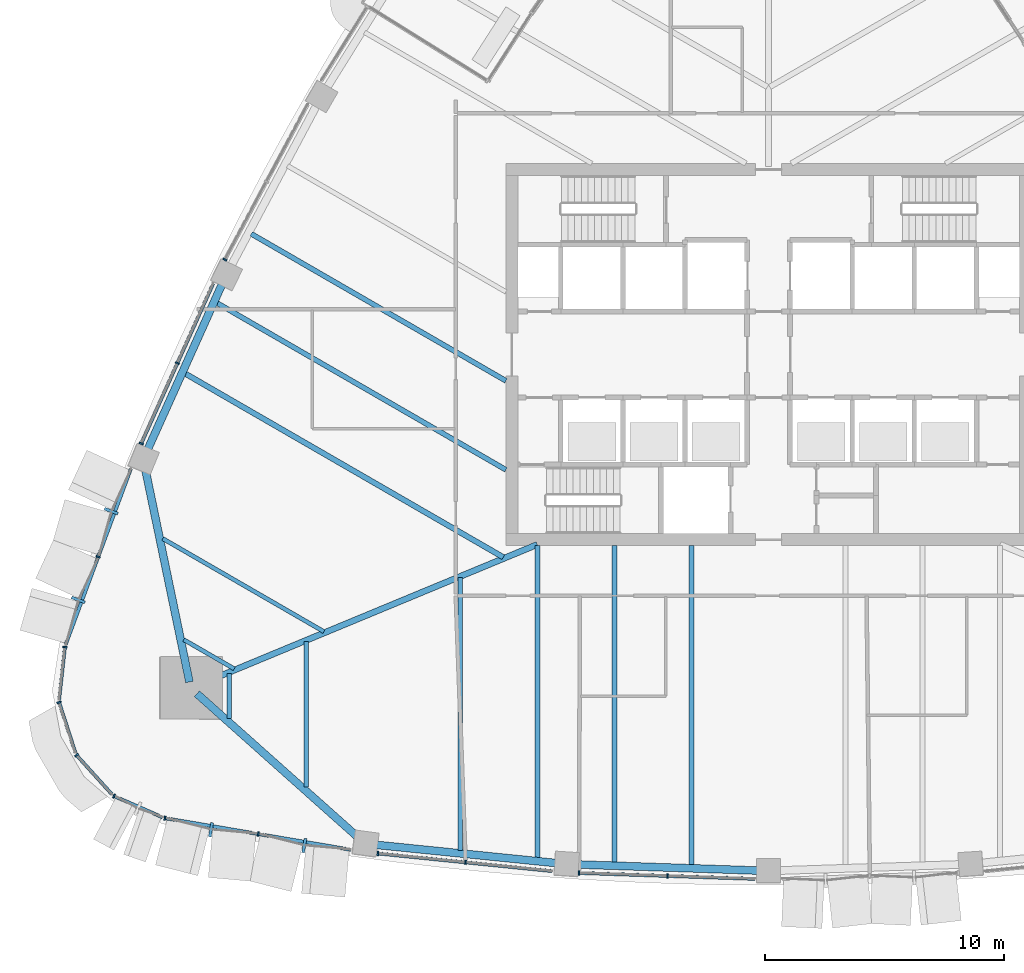
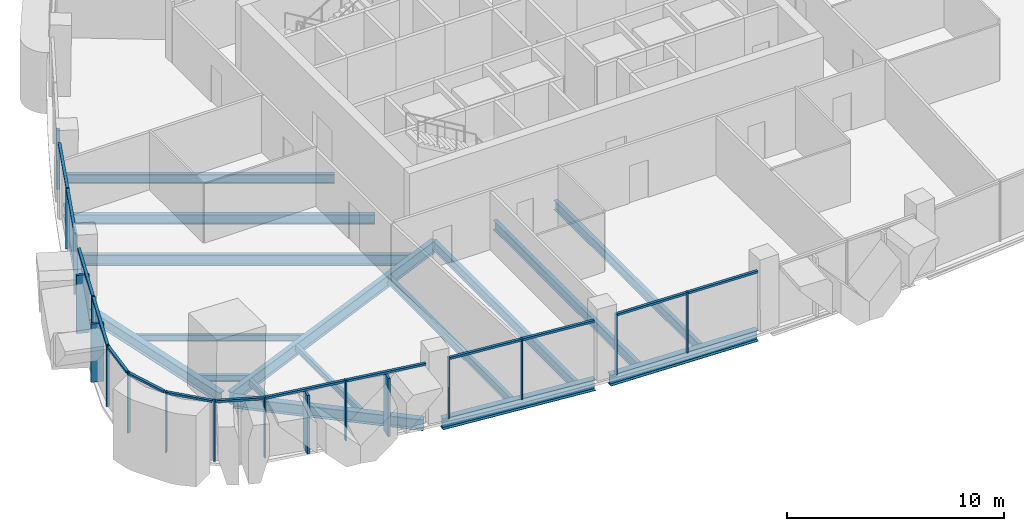
# One storey, part 2 of 21: 32 members, 17 beams, 10 elements without a shape of their own.
"""IFC4 building model written with IfcOpenShell, lengths in metres."""

from ifc_helpers import new_model, si_unit, direction, frame, origin, origin_2d, place, context, subcontext, project, spatial, rectangle, i_section, extrude, material, layer, layer_set, material_profile, profile_set, type_object, element, aggregate, save


model = new_model("IFC4")

# Units and contexts
model_context = context("Model", 3, precision=1e-05, world=origin(), true_north=direction((0.0, 1.0)))
body_context = subcontext(model_context, "Body", "Model", "MODEL_VIEW")
ifc_project = project(units=[si_unit("LENGTHUNIT", "METRE"), si_unit("AREAUNIT", "SQUARE_METRE"), si_unit("VOLUMEUNIT", "CUBIC_METRE"), si_unit("PLANEANGLEUNIT", "RADIAN"), si_unit("MASSUNIT", "GRAM", prefix="KILO")], contexts=[model_context])

# Site, building, storey
site_placement = place(None, origin())
site = spatial("IfcSite", under=ifc_project, at=site_placement, CompositionType="ELEMENT")
building_placement = place(site_placement, origin())
building = spatial("IfcBuilding", under=site, at=building_placement, Name="Sierra Prisma Convention Tower", CompositionType="ELEMENT")
storey_placement = place(building_placement, frame((0.0, 0.0, 157.800048828125)))
storey = spatial("IfcBuildingStorey", under=building, at=storey_placement, Name="L34", CompositionType="ELEMENT", Elevation=157.800048828125)

# Curtain wall, members
ifc_material_1 = material(Name="Aluminium and glass curtain wall", Category="aluminium")
ifc_layer_1 = layer(ifc_material_1, 0.179931640625)
ifc_layer_set_1 = layer_set([ifc_layer_1], Name="CW-2 Faceted crystal curtain wall")
curtain_wall_type_1 = type_object("IfcCurtainWallType", Name="CW-2 Faceted crystal curtain wall", PredefinedType="NOTDEFINED", material=ifc_layer_set_1)
curtain_wall_1_placement = place(storey_placement, origin())
curtain_wall_1 = element("IfcCurtainWall", 1, at=curtain_wall_1_placement, inside=storey, type_object=curtain_wall_type_1, Name="CW-2 NW6 L34", PredefinedType="NOTDEFINED")
ifc_material_2 = material(Name="Aluminium 6063-T6 bronze anodised", Category="aluminium")
ifc_material_profile_1 = material_profile(ifc_material_2, rectangle(XDim=0.1201171875, YDim=0.60009765625, at=origin_2d()), Name="ALU RIDGE BLADE 120x600")
ifc_profile_set_1 = profile_set([ifc_material_profile_1], Name="Aluminium 6063-T6 bronze anodised")
member_type_1 = type_object("IfcMemberType", Name="CW hip bronze", PredefinedType="MULLION", material=ifc_profile_set_1)
member_1_placement = place(storey_placement, frame((-27.525390625, -6.55810546875, 0.0), z_axis=(0.0, 0.0, 1.0), x_axis=(-0.347954308192, -0.937511492949, 0.0)))
member_1 = element("IfcMember", 2, at=member_1_placement, type_object=member_type_1, Name="CW-2 ridge NW6.1", PredefinedType="MULLION", context=body_context, shape_type="SweptSolid", body=[
    extrude(rectangle(XDim=0.1201171875, YDim=0.60009765625, at=origin_2d()), origin(), (0.0, 0.0, 1.0), 3.280029296875),
])
member_2_placement = place(storey_placement, frame((-28.903564453125, -10.271728515625, 0.0), z_axis=(0.0, 0.0, 1.0), x_axis=(-0.347954308192, -0.937511492949, 0.0)))
member_2 = element("IfcMember", 3, at=member_2_placement, type_object=member_type_1, Name="CW-2 ridge NW6.2", PredefinedType="MULLION", context=body_context, shape_type="SweptSolid", body=[
    extrude(rectangle(XDim=0.1201171875, YDim=0.60009765625, at=origin_2d()), origin(), (0.0, 0.0, 1.0), 3.280029296875),
])

curtain_wall_2_placement = place(storey_placement, origin())
curtain_wall_2 = element("IfcCurtainWall", 4, at=curtain_wall_2_placement, inside=storey, type_object=curtain_wall_type_1, Name="CW-2 S1 L34", PredefinedType="NOTDEFINED")
member_3_placement = place(storey_placement, frame((-23.347412109375, -19.895263671875, 0.0), z_axis=(0.0, 0.0, 1.0), x_axis=(0.985885923329, -0.167418476224, 0.0)))
member_3 = element("IfcMember", 5, at=member_3_placement, type_object=member_type_1, Name="CW-2 ridge S1.1", PredefinedType="MULLION", context=body_context, shape_type="SweptSolid", body=[
    extrude(rectangle(XDim=0.1201171875, YDim=0.60009765625, at=origin_2d()), origin(), (0.0, 0.0, 1.0), 3.280029296875),
])
member_4_placement = place(storey_placement, frame((-19.442138671875, -20.55859375, 0.0), z_axis=(0.0, 0.0, 1.0), x_axis=(0.985885923329, -0.167418476224, 0.0)))
member_4 = element("IfcMember", 6, at=member_4_placement, type_object=member_type_1, Name="CW-2 ridge S1.2", PredefinedType="MULLION", context=body_context, shape_type="SweptSolid", body=[
    extrude(rectangle(XDim=0.1201171875, YDim=0.60009765625, at=origin_2d()), origin(), (0.0, 0.0, 1.0), 3.280029296875),
])

# Curtain wall, member
ifc_material_3 = material(Name="Aluminium and glass curtain wall", Category="aluminium")
ifc_layer_2 = layer(ifc_material_3, 0.179931640625)
ifc_layer_set_2 = layer_set([ifc_layer_2], Name="CW-1 Plain shaft curtain wall")
curtain_wall_type_2 = type_object("IfcCurtainWallType", Name="CW-1 Plain shaft curtain wall", PredefinedType="NOTDEFINED", material=ifc_layer_set_2)
curtain_wall_3_placement = place(storey_placement, origin())
curtain_wall_3 = element("IfcCurtainWall", 7, at=curtain_wall_3_placement, inside=storey, type_object=curtain_wall_type_2, Name="CW-1 NW4 L34", PredefinedType="NOTDEFINED")
ifc_material_4 = material(Name="Aluminium 6063-T6 bronze anodised", Category="aluminium")
ifc_material_profile_2 = material_profile(ifc_material_4, rectangle(XDim=0.179931640625, YDim=0.070068359375, at=origin_2d()), Name="ALU MULLION 70x180")
ifc_profile_set_2 = profile_set([ifc_material_profile_2], Name="Aluminium 6063-T6 bronze anodised")
member_type_2 = type_object("IfcMemberType", Name="CW mullion bronze", PredefinedType="MULLION", material=ifc_profile_set_2)
member_5_placement = place(storey_placement, frame((-22.76513671875, 3.97509765625, 0.0), z_axis=(0.0, 0.0, 1.0), x_axis=(0.88235325701, -0.470587643106, 0.0)))
member_5 = element("IfcMember", 8, at=member_5_placement, type_object=member_type_2, Name="CW-1 mullion NW4.3", PredefinedType="MULLION", context=body_context, shape_type="SweptSolid", body=[
    extrude(rectangle(XDim=0.179931640625, YDim=0.070068359375, at=origin_2d()), origin(), (0.0, 0.0, 1.0), 3.39990234375),
])
aggregate(curtain_wall_3, [member_5])

# Curtain wall, members
curtain_wall_4_placement = place(storey_placement, origin())
curtain_wall_4 = element("IfcCurtainWall", 9, at=curtain_wall_4_placement, inside=storey, type_object=curtain_wall_type_2, Name="CW-1 NW5 L34", PredefinedType="NOTDEFINED")
member_6_placement = place(storey_placement, frame((-24.755615234375, -0.360107421875, 0.0), z_axis=(0.0, 0.0, 1.0), x_axis=(0.911995976276, -0.410199145851, 0.0)))
member_6 = element("IfcMember", 10, at=member_6_placement, type_object=member_type_2, Name="CW-1 mullion NW5.2", PredefinedType="MULLION", context=body_context, shape_type="SweptSolid", body=[
    extrude(rectangle(XDim=0.179931640625, YDim=0.070068359375, at=origin_2d()), origin(), (0.0, 0.0, 1.0), 3.39990234375),
])
member_7_placement = place(storey_placement, frame((-26.2685546875, -3.724365234375, 0.0), z_axis=(0.0, 0.0, 1.0), x_axis=(0.911995976276, -0.410199145851, 0.0)))
member_7 = element("IfcMember", 11, at=member_7_placement, type_object=member_type_2, Name="CW-1 mullion NW5.3", PredefinedType="MULLION", context=body_context, shape_type="SweptSolid", body=[
    extrude(rectangle(XDim=0.179931640625, YDim=0.070068359375, at=origin_2d()), origin(), (0.0, 0.0, 1.0), 3.39990234375),
])

# Member
member_8_placement = place(storey_placement, frame((-28.07080078125, -8.46826171875, 0.0), z_axis=(0.0, 0.0, 1.0), x_axis=(0.937511492949, -0.347954308192, 0.0)))
member_8 = element("IfcMember", 12, at=member_8_placement, type_object=member_type_2, Name="CW-1 mullion NW6.2", PredefinedType="MULLION", context=body_context, shape_type="SweptSolid", body=[
    extrude(rectangle(XDim=0.179931640625, YDim=0.070068359375, at=origin_2d()), origin(), (0.0, 0.0, 1.0), 3.39990234375),
])

# Curtain wall, member
curtain_wall_5_placement = place(storey_placement, origin())
curtain_wall_5 = element("IfcCurtainWall", 13, at=curtain_wall_5_placement, inside=storey, type_object=curtain_wall_type_2, Name="CW-1 SW1 L34", PredefinedType="NOTDEFINED")
member_9_placement = place(storey_placement, frame((-29.465087890625, -12.24951171875, 0.0), z_axis=(0.0, 0.0, 1.0), x_axis=(0.99391102233, -0.110185660095, 0.0)))
member_9 = element("IfcMember", 14, at=member_9_placement, type_object=member_type_2, Name="CW-1 mullion SW1.1", PredefinedType="MULLION", context=body_context, shape_type="SweptSolid", body=[
    extrude(rectangle(XDim=0.179931640625, YDim=0.070068359375, at=origin_2d()), origin(), (0.0, 0.0, 1.0), 3.39990234375),
])

curtain_wall_6_placement = place(storey_placement, origin())
curtain_wall_6 = element("IfcCurtainWall", 15, at=curtain_wall_6_placement, inside=storey, type_object=curtain_wall_type_2, Name="CW-1 SW2 L34", PredefinedType="NOTDEFINED")
member_10_placement = place(storey_placement, frame((-29.70703125, -14.562255859375, 0.0), z_axis=(0.0, 0.0, 1.0), x_axis=(0.951640916797, 0.307212573762, 0.0)))
member_10 = element("IfcMember", 16, at=member_10_placement, type_object=member_type_2, Name="CW-1 mullion SW2.1", PredefinedType="MULLION", context=body_context, shape_type="SweptSolid", body=[
    extrude(rectangle(XDim=0.179931640625, YDim=0.070068359375, at=origin_2d()), origin(), (0.0, 0.0, 1.0), 3.39990234375),
])

curtain_wall_7_placement = place(storey_placement, origin())
curtain_wall_7 = element("IfcCurtainWall", 17, at=curtain_wall_7_placement, inside=storey, type_object=curtain_wall_type_2, Name="CW-1 SW3 L34", PredefinedType="NOTDEFINED")
member_11_placement = place(storey_placement, frame((-28.97900390625, -16.7705078125, 0.0), z_axis=(0.0, 0.0, 1.0), x_axis=(0.741874351638, 0.670538922346, 0.0)))
member_11 = element("IfcMember", 18, at=member_11_placement, type_object=member_type_2, Name="CW-1 mullion SW3.1", PredefinedType="MULLION", context=body_context, shape_type="SweptSolid", body=[
    extrude(rectangle(XDim=0.179931640625, YDim=0.070068359375, at=origin_2d()), origin(), (0.0, 0.0, 1.0), 3.39990234375),
])

curtain_wall_8_placement = place(storey_placement, origin())
curtain_wall_8 = element("IfcCurtainWall", 19, at=curtain_wall_8_placement, inside=storey, type_object=curtain_wall_type_1, Name="CW-2 SW4 L34", PredefinedType="NOTDEFINED")
member_12_placement = place(storey_placement, frame((-27.4091796875, -18.486083984375, 0.0), z_axis=(0.0, 0.0, 1.0), x_axis=(0.40153193039, 0.915845024487, 0.0)))
member_12 = element("IfcMember", 20, at=member_12_placement, type_object=member_type_2, Name="CW-1 mullion SW4.1", PredefinedType="MULLION", context=body_context, shape_type="SweptSolid", body=[
    extrude(rectangle(XDim=0.179931640625, YDim=0.070068359375, at=origin_2d()), origin(), (0.0, 0.0, 1.0), 3.39990234375),
])

# Member
member_13_placement = place(storey_placement, frame((-25.2744140625, -19.412841796875, 0.0), z_axis=(0.0, 0.0, 1.0), x_axis=(0.167418476224, 0.985885923329, 0.0)))
member_13 = element("IfcMember", 21, at=member_13_placement, type_object=member_type_2, Name="CW-1 mullion S1.1", PredefinedType="MULLION", context=body_context, shape_type="SweptSolid", body=[
    extrude(rectangle(XDim=0.179931640625, YDim=0.070068359375, at=origin_2d()), origin(), (0.0, 0.0, 1.0), 3.39990234375),
])

member_14_placement = place(storey_placement, frame((-21.369140625, -20.075927734375, 0.0), z_axis=(0.0, 0.0, 1.0), x_axis=(0.167418476224, 0.985885923329, 0.0)))
member_14 = element("IfcMember", 22, at=member_14_placement, type_object=member_type_2, Name="CW-1 mullion S1.2", PredefinedType="MULLION", context=body_context, shape_type="SweptSolid", body=[
    extrude(rectangle(XDim=0.179931640625, YDim=0.070068359375, at=origin_2d()), origin(), (0.0, 0.0, 1.0), 3.39990234375),
])

# Curtain wall, members
curtain_wall_9_placement = place(storey_placement, origin())
curtain_wall_9 = element("IfcCurtainWall", 23, at=curtain_wall_9_placement, inside=storey, type_object=curtain_wall_type_2, Name="CW-1 S2 L34", PredefinedType="NOTDEFINED")
member_15_placement = place(storey_placement, frame((-16.359619140625, -20.88720703125, 0.0), z_axis=(0.0, 0.0, 1.0), x_axis=(0.10075510722, 0.994911256529, 0.0)))
member_15 = element("IfcMember", 24, at=member_15_placement, type_object=member_type_2, Name="CW-1 mullion S2.1", PredefinedType="MULLION", context=body_context, shape_type="SweptSolid", body=[
    extrude(rectangle(XDim=0.179931640625, YDim=0.070068359375, at=origin_2d()), origin(), (0.0, 0.0, 1.0), 3.39990234375),
])
member_16_placement = place(storey_placement, frame((-12.689697265625, -21.2587890625, 0.0), z_axis=(0.0, 0.0, 1.0), x_axis=(0.10075510722, 0.994911256529, 0.0)))
member_16 = element("IfcMember", 25, at=member_16_placement, type_object=member_type_2, Name="CW-1 mullion S2.2", PredefinedType="MULLION", context=body_context, shape_type="SweptSolid", body=[
    extrude(rectangle(XDim=0.179931640625, YDim=0.070068359375, at=origin_2d()), origin(), (0.0, 0.0, 1.0), 3.39990234375),
])

curtain_wall_10_placement = place(storey_placement, origin())
curtain_wall_10 = element("IfcCurtainWall", 26, at=curtain_wall_10_placement, inside=storey, type_object=curtain_wall_type_2, Name="CW-1 S3 L34", PredefinedType="NOTDEFINED")
member_17_placement = place(storey_placement, frame((-7.940185546875, -21.702880859375, 0.0), z_axis=(0.0, 0.0, 1.0), x_axis=(0.033635774868, 0.999434157235, 0.0)))
member_17 = element("IfcMember", 27, at=member_17_placement, type_object=member_type_2, Name="CW-1 mullion S3.1", PredefinedType="MULLION", context=body_context, shape_type="SweptSolid", body=[
    extrude(rectangle(XDim=0.179931640625, YDim=0.070068359375, at=origin_2d()), origin(), (0.0, 0.0, 1.0), 3.39990234375),
])
member_18_placement = place(storey_placement, frame((-4.2373046875, -21.827392578125, 0.0), z_axis=(0.0, 0.0, 1.0), x_axis=(0.033635774868, 0.999434157235, 0.0)))
member_18 = element("IfcMember", 28, at=member_18_placement, type_object=member_type_2, Name="CW-1 mullion S3.2", PredefinedType="MULLION", context=body_context, shape_type="SweptSolid", body=[
    extrude(rectangle(XDim=0.179931640625, YDim=0.070068359375, at=origin_2d()), origin(), (0.0, 0.0, 1.0), 3.39990234375),
])

# Member
ifc_material_5 = material(Name="Aluminium 6063-T6 bronze anodised", Category="aluminium")
ifc_material_profile_3 = material_profile(ifc_material_5, rectangle(XDim=0.139892578125, YDim=0.1201171875, at=origin_2d()), Name="ALU TRANSOM 120x140")
ifc_profile_set_3 = profile_set([ifc_material_profile_3], Name="Aluminium 6063-T6 bronze anodised")
member_type_3 = type_object("IfcMemberType", Name="CW transom bronze", PredefinedType="USERDEFINED", material=ifc_profile_set_3)
member_19_placement = place(storey_placement, frame((-23.2568359375, 2.971923828125, 3.33984375), z_axis=(-0.410190746116, -0.911999754277, 0.0), x_axis=(0.911999754277, -0.410190746116, 0.0)))
member_19 = element("IfcMember", 29, at=member_19_placement, type_object=member_type_3, Name="CW-1 transom NW5.1", ObjectType="TRANSOM", PredefinedType="USERDEFINED", context=body_context, shape_type="SweptSolid", body=[
    extrude(rectangle(XDim=0.139892578125, YDim=0.1201171875, at=origin_2d()), origin(), (0.0, 0.0, 1.0), 3.61865234375),
])

member_20_placement = place(storey_placement, frame((-24.769775390625, -0.39208984375, 3.33984375), z_axis=(-0.410190746116, -0.911999754277, 0.0), x_axis=(0.911999754277, -0.410190746116, 0.0)))
member_20 = element("IfcMember", 30, at=member_20_placement, type_object=member_type_3, Name="CW-1 transom NW5.2", ObjectType="TRANSOM", PredefinedType="USERDEFINED", context=body_context, shape_type="SweptSolid", body=[
    extrude(rectangle(XDim=0.139892578125, YDim=0.1201171875, at=origin_2d()), origin(), (0.0, 0.0, 1.0), 3.61865234375),
])

aggregate(curtain_wall_4, [member_6, member_7, member_19, member_20])

member_21_placement = place(storey_placement, frame((-26.704833984375, -4.787353515625, 3.33984375), z_axis=(-0.347917128843, -0.937525291103, 0.0), x_axis=(0.937525291103, -0.347917128843, 0.0)))
member_21 = element("IfcMember", 31, at=member_21_placement, type_object=member_type_3, Name="CW-1 transom NW6.1", ObjectType="TRANSOM", PredefinedType="USERDEFINED", context=body_context, shape_type="SweptSolid", body=[
    extrude(rectangle(XDim=0.139892578125, YDim=0.1201171875, at=origin_2d()), origin(), (0.0, 0.0, 1.0), 3.89111328125),
])

member_22_placement = place(storey_placement, frame((-28.0830078125, -8.5009765625, 3.33984375), z_axis=(-0.347972276367, -0.937504823923, 0.0), x_axis=(0.937504823923, -0.347972276367, 0.0)))
member_22 = element("IfcMember", 32, at=member_22_placement, type_object=member_type_3, Name="CW-1 transom NW6.2", ObjectType="TRANSOM", PredefinedType="USERDEFINED", context=body_context, shape_type="SweptSolid", body=[
    extrude(rectangle(XDim=0.139892578125, YDim=0.1201171875, at=origin_2d()), origin(), (0.0, 0.0, 1.0), 3.89111328125),
])

aggregate(curtain_wall_1, [member_8, member_21, member_1, member_22, member_2])

member_23_placement = place(storey_placement, frame((-29.468994140625, -12.2841796875, 3.33984375), z_axis=(-0.110223365081, -0.993906841606, 0.0), x_axis=(0.993906841606, -0.110223365081, 0.0)))
member_23 = element("IfcMember", 33, at=member_23_placement, type_object=member_type_3, Name="CW-1 transom SW1.1", ObjectType="TRANSOM", PredefinedType="USERDEFINED", context=body_context, shape_type="SweptSolid", body=[
    extrude(rectangle(XDim=0.139892578125, YDim=0.1201171875, at=origin_2d()), origin(), (0.0, 0.0, 1.0), 2.1884765625),
])

aggregate(curtain_wall_5, [member_9, member_23])

member_24_placement = place(storey_placement, frame((-29.6962890625, -14.595458984375, 3.33984375), z_axis=(0.307142944664, -0.951663391932, 0.0), x_axis=(0.951663391932, 0.307142944664, 0.0)))
member_24 = element("IfcMember", 34, at=member_24_placement, type_object=member_type_3, Name="CW-1 transom SW2.1", ObjectType="TRANSOM", PredefinedType="USERDEFINED", context=body_context, shape_type="SweptSolid", body=[
    extrude(rectangle(XDim=0.139892578125, YDim=0.1201171875, at=origin_2d()), origin(), (0.0, 0.0, 1.0), 2.188232421875),
])

aggregate(curtain_wall_6, [member_10, member_24])

member_25_placement = place(storey_placement, frame((-28.95556640625, -16.796630859375, 3.33984375), z_axis=(0.670504243859, -0.74190569412, 0.0), x_axis=(0.74190569412, 0.670504243859, 0.0)))
member_25 = element("IfcMember", 35, at=member_25_placement, type_object=member_type_3, Name="CW-1 transom SW3.1", ObjectType="TRANSOM", PredefinedType="USERDEFINED", context=body_context, shape_type="SweptSolid", body=[
    extrude(rectangle(XDim=0.139892578125, YDim=0.1201171875, at=origin_2d()), origin(), (0.0, 0.0, 1.0), 2.188232421875),
])

aggregate(curtain_wall_7, [member_11, member_25])

member_26_placement = place(storey_placement, frame((-27.377197265625, -18.500244140625, 3.33984375), z_axis=(0.915847236275, -0.401526885535, 0.0), x_axis=(0.401526885535, 0.915847236275, 0.0)))
member_26 = element("IfcMember", 36, at=member_26_placement, type_object=member_type_3, Name="CW-1 transom SW4.1", ObjectType="TRANSOM", PredefinedType="USERDEFINED", context=body_context, shape_type="SweptSolid", body=[
    extrude(rectangle(XDim=0.139892578125, YDim=0.1201171875, at=origin_2d()), origin(), (0.0, 0.0, 1.0), 2.188232421875),
])

aggregate(curtain_wall_8, [member_12, member_26])

member_27_placement = place(storey_placement, frame((-25.23974609375, -19.418701171875, 3.33984375), z_axis=(0.985889104663, -0.167399741058, 0.0), x_axis=(0.167399741058, 0.985889104663, 0.0)))
member_27 = element("IfcMember", 37, at=member_27_placement, type_object=member_type_3, Name="CW-1 transom S1.1", ObjectType="TRANSOM", PredefinedType="USERDEFINED", context=body_context, shape_type="SweptSolid", body=[
    extrude(rectangle(XDim=0.139892578125, YDim=0.1201171875, at=origin_2d()), origin(), (0.0, 0.0, 1.0), 3.89111328125),
])

member_28_placement = place(storey_placement, frame((-21.334716796875, -20.081787109375, 3.33984375), z_axis=(0.985880507186, -0.167450367423, 0.0), x_axis=(0.167450367423, 0.985880507186, 0.0)))
member_28 = element("IfcMember", 38, at=member_28_placement, type_object=member_type_3, Name="CW-1 transom S1.2", ObjectType="TRANSOM", PredefinedType="USERDEFINED", context=body_context, shape_type="SweptSolid", body=[
    extrude(rectangle(XDim=0.139892578125, YDim=0.1201171875, at=origin_2d()), origin(), (0.0, 0.0, 1.0), 3.891357421875),
])

aggregate(curtain_wall_2, [member_13, member_14, member_27, member_3, member_28, member_4])

member_29_placement = place(storey_placement, frame((-16.324951171875, -20.890625, 3.33984375), z_axis=(0.99490743666, -0.100792819582, 0.0), x_axis=(0.100792819582, 0.99490743666, 0.0)))
member_29 = element("IfcMember", 39, at=member_29_placement, type_object=member_type_3, Name="CW-1 transom S2.1", ObjectType="TRANSOM", PredefinedType="USERDEFINED", context=body_context, shape_type="SweptSolid", body=[
    extrude(rectangle(XDim=0.139892578125, YDim=0.1201171875, at=origin_2d()), origin(), (0.0, 0.0, 1.0), 3.61865234375),
])

member_30_placement = place(storey_placement, frame((-12.65478515625, -21.26220703125, 3.33984375), z_axis=(0.99490743666, -0.100792819582, 0.0), x_axis=(0.100792819582, 0.99490743666, 0.0)))
member_30 = element("IfcMember", 40, at=member_30_placement, type_object=member_type_3, Name="CW-1 transom S2.2", ObjectType="TRANSOM", PredefinedType="USERDEFINED", context=body_context, shape_type="SweptSolid", body=[
    extrude(rectangle(XDim=0.139892578125, YDim=0.1201171875, at=origin_2d()), origin(), (0.0, 0.0, 1.0), 3.61865234375),
])

aggregate(curtain_wall_9, [member_15, member_16, member_29, member_30])

member_31_placement = place(storey_placement, frame((-7.9052734375, -21.703857421875, 3.33984375), z_axis=(0.999433668733, -0.03365028683, 0.0), x_axis=(0.03365028683, 0.999433668733, 0.0)))
member_31 = element("IfcMember", 41, at=member_31_placement, type_object=member_type_3, Name="CW-1 transom S3.1", ObjectType="TRANSOM", PredefinedType="USERDEFINED", context=body_context, shape_type="SweptSolid", body=[
    extrude(rectangle(XDim=0.139892578125, YDim=0.1201171875, at=origin_2d()), origin(), (0.0, 0.0, 1.0), 3.634765625),
])

member_32_placement = place(storey_placement, frame((-4.202392578125, -21.82861328125, 3.33984375), z_axis=(0.999433668733, -0.03365028683, 0.0), x_axis=(0.03365028683, 0.999433668733, 0.0)))
member_32 = element("IfcMember", 42, at=member_32_placement, type_object=member_type_3, Name="CW-1 transom S3.2", ObjectType="TRANSOM", PredefinedType="USERDEFINED", context=body_context, shape_type="SweptSolid", body=[
    extrude(rectangle(XDim=0.139892578125, YDim=0.1201171875, at=origin_2d()), origin(), (0.0, 0.0, 1.0), 3.634765625),
])

aggregate(curtain_wall_10, [member_17, member_18, member_31, member_32])

# Beams
ifc_material_6 = material(Name="Steel ASTM A992 Gr 50", Category="steel")
ifc_material_profile_4 = material_profile(ifc_material_6, i_section(OverallWidth=0.172119140625, OverallDepth=0.35791015625, WebThickness=0.0078125, FlangeThickness=0.01318359375, at=origin_2d()), Name="W360x57")
ifc_profile_set_4 = profile_set([ifc_material_profile_4], Name="Steel ASTM A992 Gr 50")
beam_type_1 = type_object("IfcBeamType", Name="Floor joist W360x57", PredefinedType="JOIST", material=ifc_profile_set_4)
beam_1_placement = place(storey_placement, frame((-22.5830078125, -15.23974609375, -0.3291015625), z_axis=(0.0, 1.0, 0.0), x_axis=(-1.0, 0.0, 0.0)))
element("IfcBeam", 43, at=beam_1_placement, inside=storey, type_object=beam_type_1, Name="Floor joist L34 S01", PredefinedType="JOIST", context=body_context, shape_type="SweptSolid", body=[
    extrude(i_section(OverallWidth=0.172119140625, OverallDepth=0.35791015625, WebThickness=0.0078125, FlangeThickness=0.01318359375, at=origin_2d()), origin(), (0.0, 0.0, 1.0), 1.884033203125),
])
beam_2_placement = place(storey_placement, frame((-19.35693359375, -18.114990234375, -0.3291015625), z_axis=(0.0, 1.0, 0.0), x_axis=(-1.0, 0.0, 0.0)))
element("IfcBeam", 44, at=beam_2_placement, inside=storey, type_object=beam_type_1, Name="Floor joist L34 S02", PredefinedType="JOIST", context=body_context, shape_type="SweptSolid", body=[
    extrude(i_section(OverallWidth=0.172119140625, OverallDepth=0.35791015625, WebThickness=0.0078125, FlangeThickness=0.01318359375, at=origin_2d()), origin(), (0.0, 0.0, 1.0), 6.096923828125),
])
beam_3_placement = place(storey_placement, frame((-25.366455078125, -7.7060546875, -0.3291015625), z_axis=(0.866030615021, -0.499990973765, 0.0), x_axis=(0.499990973765, 0.866030615021, 0.0)))
element("IfcBeam", 45, at=beam_3_placement, inside=storey, type_object=beam_type_1, Name="Floor joist L34 NW14", PredefinedType="JOIST", context=body_context, shape_type="SweptSolid", body=[
    extrude(i_section(OverallWidth=0.172119140625, OverallDepth=0.35791015625, WebThickness=0.0078125, FlangeThickness=0.01318359375, at=origin_2d()), origin(), (0.0, 0.0, 1.0), 7.791748046875),
])
beam_4_placement = place(storey_placement, frame((-24.489501953125, -11.937744140625, -0.3291015625), z_axis=(0.866057432153, -0.499944521134, 0.0), x_axis=(0.499944521134, 0.866057432153, 0.0)))
element("IfcBeam", 46, at=beam_4_placement, inside=storey, type_object=beam_type_1, Name="Floor joist L34 NW15", PredefinedType="JOIST", context=body_context, shape_type="SweptSolid", body=[
    extrude(i_section(OverallWidth=0.172119140625, OverallDepth=0.35791015625, WebThickness=0.0078125, FlangeThickness=0.01318359375, at=origin_2d()), origin(), (0.0, 0.0, 1.0), 2.442626953125),
])
ifc_material_7 = material(Name="Steel ASTM A992 Gr 50", Category="steel")
ifc_material_profile_5 = material_profile(ifc_material_7, i_section(OverallWidth=0.18994140625, OverallDepth=0.45703125, WebThickness=0.009033203125, FlangeThickness=0.014404296875, at=origin_2d()), Name="W460x74")
ifc_profile_set_5 = profile_set([ifc_material_profile_5], Name="Steel ASTM A992 Gr 50")
beam_type_2 = type_object("IfcBeamType", Name="Floor joist W460x74", PredefinedType="JOIST", material=ifc_profile_set_5)
beam_5_placement = place(storey_placement, frame((-12.904541015625, -20.77197265625, -0.378662109375), z_axis=(0.0, 1.0, 0.0), x_axis=(-1.0, 0.0, 0.0)))
element("IfcBeam", 47, at=beam_5_placement, inside=storey, type_object=beam_type_2, Name="Floor joist L34 S04", PredefinedType="JOIST", context=body_context, shape_type="SweptSolid", body=[
    extrude(i_section(OverallWidth=0.18994140625, OverallDepth=0.45703125, WebThickness=0.009033203125, FlangeThickness=0.014404296875, at=origin_2d()), origin(), (0.0, 0.0, 1.0), 11.4296875),
])
ifc_material_8 = material(Name="Steel ASTM A992 Gr 50", Category="steel")
ifc_material_profile_6 = material_profile(ifc_material_8, i_section(OverallWidth=0.208984375, OverallDepth=0.532958984375, WebThickness=0.01025390625, FlangeThickness=0.015625, at=origin_2d()), Name="W530x92")
ifc_profile_set_6 = profile_set([ifc_material_profile_6], Name="Steel ASTM A992 Gr 50")
beam_type_3 = type_object("IfcBeamType", Name="Floor joist W530x92", PredefinedType="JOIST", material=ifc_profile_set_6)
beam_6_placement = place(storey_placement, frame((-9.678466796875, -21.098876953125, -0.41650390625), z_axis=(0.0, 1.0, 0.0), x_axis=(-1.0, 0.0, 0.0)))
element("IfcBeam", 48, at=beam_6_placement, inside=storey, type_object=beam_type_3, Name="Floor joist L34 S05", PredefinedType="JOIST", context=body_context, shape_type="SweptSolid", body=[
    extrude(i_section(OverallWidth=0.208984375, OverallDepth=0.532958984375, WebThickness=0.01025390625, FlangeThickness=0.015625, at=origin_2d()), origin(), (0.0, 0.0, 1.0), 13.098876953125),
])
beam_7_placement = place(storey_placement, frame((-6.452392578125, -21.290283203125, -0.41650390625), z_axis=(0.0, 1.0, 0.0), x_axis=(-1.0, 0.0, 0.0)))
element("IfcBeam", 49, at=beam_7_placement, inside=storey, type_object=beam_type_3, Name="Floor joist L34 S06", PredefinedType="JOIST", context=body_context, shape_type="SweptSolid", body=[
    extrude(i_section(OverallWidth=0.208984375, OverallDepth=0.532958984375, WebThickness=0.01025390625, FlangeThickness=0.015625, at=origin_2d()), origin(), (0.0, 0.0, 1.0), 13.290283203125),
])
beam_8_placement = place(storey_placement, frame((-3.22607421875, -21.39892578125, -0.41650390625), z_axis=(0.0, 1.0, 0.0), x_axis=(-1.0, 0.0, 0.0)))
element("IfcBeam", 50, at=beam_8_placement, inside=storey, type_object=beam_type_3, Name="Floor joist L34 S07", PredefinedType="JOIST", context=body_context, shape_type="SweptSolid", body=[
    extrude(i_section(OverallWidth=0.208984375, OverallDepth=0.532958984375, WebThickness=0.01025390625, FlangeThickness=0.015625, at=origin_2d()), origin(), (0.0, 0.0, 1.0), 13.39892578125),
])
beam_9_placement = place(storey_placement, frame((-21.6640625, 5.057373046875, -0.41650390625), z_axis=(0.866022482748, -0.50000505935, 0.0), x_axis=(0.50000505935, 0.866022482748, 0.0)))
element("IfcBeam", 51, at=beam_9_placement, inside=storey, type_object=beam_type_3, Name="Floor joist L34 NW10", PredefinedType="JOIST", context=body_context, shape_type="SweptSolid", body=[
    extrude(i_section(OverallWidth=0.208984375, OverallDepth=0.532958984375, WebThickness=0.01025390625, FlangeThickness=0.015625, at=origin_2d()), origin(), (0.0, 0.0, 1.0), 12.313720703125),
])
beam_10_placement = place(storey_placement, frame((-23.111328125, 2.167724609375, -0.41650390625), z_axis=(0.866019297041, -0.500010577041, 0.0), x_axis=(0.500010577041, 0.866019297041, 0.0)))
element("IfcBeam", 52, at=beam_10_placement, inside=storey, type_object=beam_type_3, Name="Floor joist L34 NW11", PredefinedType="JOIST", context=body_context, shape_type="SweptSolid", body=[
    extrude(i_section(OverallWidth=0.208984375, OverallDepth=0.532958984375, WebThickness=0.01025390625, FlangeThickness=0.015625, at=origin_2d()), origin(), (0.0, 0.0, 1.0), 13.985107421875),
])
ifc_material_9 = material(Name="Steel ASTM A992 Gr 50", Category="steel")
ifc_material_profile_7 = material_profile(ifc_material_9, i_section(OverallWidth=0.22802734375, OverallDepth=0.60302734375, WebThickness=0.010498046875, FlangeThickness=0.014892578125, at=origin_2d()), Name="W610x101")
ifc_profile_set_7 = profile_set([ifc_material_profile_7], Name="Steel ASTM A992 Gr 50")
beam_type_4 = type_object("IfcBeamType", Name="Floor joist W610x101", PredefinedType="JOIST", material=ifc_profile_set_7)
beam_11_placement = place(storey_placement, frame((-24.44140625, -0.78955078125, -0.45166015625), z_axis=(0.866020273722, -0.500008885423, 0.0), x_axis=(0.500008885423, 0.866020273722, 0.0)))
element("IfcBeam", 53, at=beam_11_placement, inside=storey, type_object=beam_type_4, Name="Floor joist L34 NW12", PredefinedType="JOIST", context=body_context, shape_type="SweptSolid", body=[
    extrude(i_section(OverallWidth=0.22802734375, OverallDepth=0.60302734375, WebThickness=0.010498046875, FlangeThickness=0.014892578125, at=origin_2d()), origin(), (0.0, 0.0, 1.0), 15.395751953125),
])
ifc_material_10 = material(Name="Steel ASTM A992 Gr 50", Category="steel")
ifc_material_profile_8 = material_profile(ifc_material_10, i_section(OverallWidth=0.25390625, OverallDepth=0.68408203125, WebThickness=0.012451171875, FlangeThickness=0.018798828125, at=origin_2d()), Name="W690x140")
ifc_profile_set_8 = profile_set([ifc_material_profile_8], Name="Steel ASTM A992 Gr 50")
beam_type_5 = type_object("IfcBeamType", Name="Radial girder W690x140", PredefinedType="BEAM", material=ifc_profile_set_8)
beam_12_placement = place(storey_placement, frame((-23.93603515625, -13.86181640625, -0.491943359375), z_axis=(0.923730775384, 0.383042366597, 0.0), x_axis=(-0.383042366597, 0.923730775384, 0.0)))
element("IfcBeam", 54, at=beam_12_placement, inside=storey, type_object=beam_type_5, Name="Radial girder L34 SW", PredefinedType="BEAM", context=body_context, shape_type="SweptSolid", body=[
    extrude(i_section(OverallWidth=0.25390625, OverallDepth=0.68408203125, WebThickness=0.012451171875, FlangeThickness=0.018798828125, at=origin_2d()), origin(), (0.0, 0.0, 1.0), 15.423095703125),
])
ifc_material_11 = material(Name="Steel ASTM A992 Gr 50", Category="steel")
ifc_material_profile_9 = material_profile(ifc_material_11, i_section(OverallWidth=0.324951171875, OverallDepth=0.615966796875, WebThickness=0.013916015625, FlangeThickness=0.021484375, at=origin_2d()), Name="W610x174")
ifc_profile_set_9 = profile_set([ifc_material_profile_9], Name="Steel ASTM A992 Gr 50")
beam_type_6 = type_object("IfcBeamType", Name="Spandrel beam W610x174", PredefinedType="BEAM", material=ifc_profile_set_9)
beam_13_placement = place(storey_placement, frame((-23.93603515625, -14.201416015625, -0.4580078125), z_axis=(0.746518275684, -0.665364910458, 0.0), x_axis=(0.665364910458, 0.746518275684, 0.0)))
element("IfcBeam", 55, at=beam_13_placement, inside=storey, type_object=beam_type_6, Name="Spandrel L34-01", PredefinedType="BEAM", context=body_context, shape_type="SweptSolid", body=[
    extrude(i_section(OverallWidth=0.324951171875, OverallDepth=0.615966796875, WebThickness=0.013916015625, FlangeThickness=0.021484375, at=origin_2d()), origin(), (0.0, 0.0, 1.0), 8.9560546875),
])
beam_14_placement = place(storey_placement, frame((-16.51123046875, -20.520263671875, -0.4580078125), z_axis=(0.994911597093, -0.100751744249, 0.0), x_axis=(0.100751744249, 0.994911597093, 0.0)))
element("IfcBeam", 56, at=beam_14_placement, inside=storey, type_object=beam_type_6, Name="Spandrel L34-02", PredefinedType="BEAM", context=body_context, shape_type="SweptSolid", body=[
    extrude(i_section(OverallWidth=0.324951171875, OverallDepth=0.615966796875, WebThickness=0.013916015625, FlangeThickness=0.021484375, at=origin_2d()), origin(), (0.0, 0.0, 1.0), 7.708251953125),
])
beam_15_placement = place(storey_placement, frame((-8.083740234375, -21.347900390625, -0.4580078125), z_axis=(0.999434097749, -0.033637542366, 0.0), x_axis=(0.033637542366, 0.999434097749, 0.0)))
element("IfcBeam", 57, at=beam_15_placement, inside=storey, type_object=beam_type_6, Name="Spandrel L34-03", PredefinedType="BEAM", context=body_context, shape_type="SweptSolid", body=[
    extrude(i_section(OverallWidth=0.324951171875, OverallDepth=0.615966796875, WebThickness=0.013916015625, FlangeThickness=0.021484375, at=origin_2d()), origin(), (0.0, 0.0, 1.0), 7.7080078125),
])
beam_16_placement = place(storey_placement, frame((-22.86474609375, 2.99072265625, -0.4580078125), z_axis=(-0.410198732297, -0.911996162285, 0.0), x_axis=(0.911996162285, -0.410198732297, 0.0)))
element("IfcBeam", 58, at=beam_16_placement, inside=storey, type_object=beam_type_6, Name="Spandrel L34-17", PredefinedType="BEAM", context=body_context, shape_type="SweptSolid", body=[
    extrude(i_section(OverallWidth=0.324951171875, OverallDepth=0.615966796875, WebThickness=0.013916015625, FlangeThickness=0.021484375, at=origin_2d()), origin(), (0.0, 0.0, 1.0), 7.708251953125),
])
beam_17_placement = place(storey_placement, frame((-26.08447265625, -4.85888671875, -0.4580078125), z_axis=(0.202952130698, -0.979188660394, 0.0), x_axis=(0.979188660394, 0.202952130698, 0.0)))
element("IfcBeam", 59, at=beam_17_placement, inside=storey, type_object=beam_type_6, Name="Spandrel L34-18", PredefinedType="BEAM", context=body_context, shape_type="SweptSolid", body=[
    extrude(i_section(OverallWidth=0.324951171875, OverallDepth=0.615966796875, WebThickness=0.013916015625, FlangeThickness=0.021484375, at=origin_2d()), origin(), (0.0, 0.0, 1.0), 9.0390625),
])

save(model, "model.ifc")
